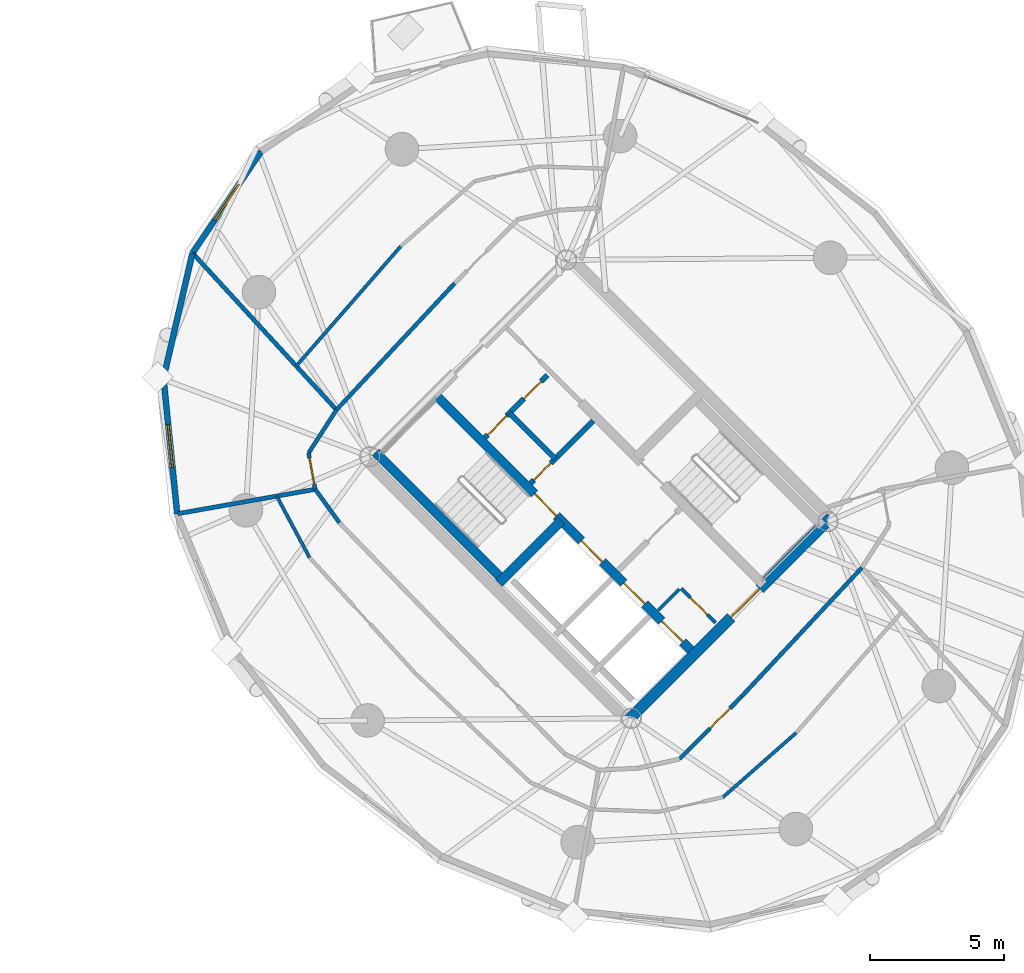
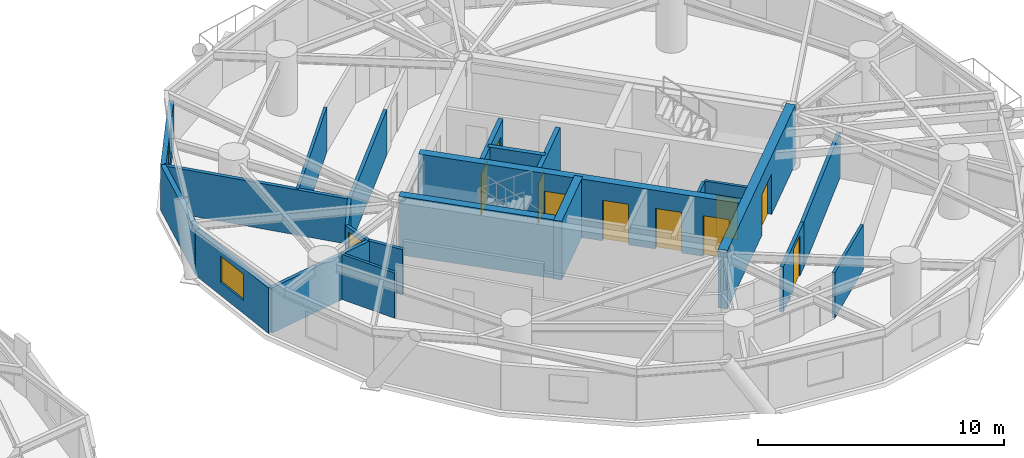
# One storey, part 14 of 19: 23 walls, 11 doors, 2 windows, 13 openings.
"""IFC4 building model written with IfcOpenShell, lengths in metres."""

from ifc_helpers import new_model, si_unit, direction, frame, frame_2d, origin, place, context, subcontext, project, spatial, rectangle, extrude, source, transform, mapped, material, layer, layer_set, type_object, element, fill, save


model = new_model("IFC4")

# Units and contexts
model_context = context("Model", 3, precision=1e-05, world=origin(), true_north=direction((0.0, 1.0)))
body_context = subcontext(model_context, "Body", "Model", "MODEL_VIEW")
ifc_project = project(units=[si_unit("LENGTHUNIT", "METRE"), si_unit("AREAUNIT", "SQUARE_METRE"), si_unit("VOLUMEUNIT", "CUBIC_METRE"), si_unit("PLANEANGLEUNIT", "RADIAN"), si_unit("MASSUNIT", "GRAM", prefix="KILO")], contexts=[model_context])

# Site, building, storey
site_placement = place(None, origin())
site = spatial("IfcSite", under=ifc_project, at=site_placement, CompositionType="ELEMENT")
building_placement = place(site_placement, origin())
building = spatial("IfcBuilding", under=site, at=building_placement, Name="Cununo Teusaquillo Station Towers", CompositionType="ELEMENT")
storey_placement = place(building_placement, frame((0.0, 0.0, 160.330078125)))
storey = spatial("IfcBuildingStorey", under=building, at=storey_placement, Name="L50", CompositionType="ELEMENT", Elevation=160.330078125)

# Wall, openings, doors
ifc_material_1 = material(Name="Concrete C50/60", Category="concrete")
ifc_layer_1 = layer(ifc_material_1, 0.35009765625)
ifc_layer_set_1 = layer_set([ifc_layer_1], Name="Concrete C50/60")
wall_type_1 = type_object("IfcWallType", Name="WL-CORE-350", PredefinedType="SHEAR", material=ifc_layer_set_1)
wall_1_placement = place(storey_placement, frame((61.060302734375, 18.372802734375, 0.0), z_axis=(0.0, 0.0, 1.0), x_axis=(-0.707106781187, 0.707106781187, 0.0)))
wall_1 = element("IfcWall", 1, at=wall_1_placement, inside=storey, type_object=wall_type_1, Name="L50 Tower B Core Shear Wall IW", PredefinedType="SHEAR", context=body_context, shape_type="SweptSolid", body=[
    extrude(rectangle(XDim=13.7001953125, YDim=0.35009765625, at=frame_2d((6.85009765625, 0.0))), origin(), (0.0, 0.0, 1.0), 2.909912109375),
])
shared_shape_1 = source(origin(), body_context, "Body", "SweptSolid", [
    extrude(rectangle(XDim=1.10009765625, YDim=2.014892578125, at=frame_2d((0.550048828125, 1.00732421875))), frame((0.0, 0.18505859375, 0.0), z_axis=(0.0, -1.0, 0.0), x_axis=(1.0, 0.0, 0.0)), (0.0, 0.0, 1.0), 0.3701171875),
])
opening_1_placement = place(wall_1_placement, frame((4.85009765625, 0.0, 0.0)))
opening_1 = element("IfcOpeningElement", 2, at=opening_1_placement, cuts=wall_1, Name="Opening LD-01", PredefinedType="OPENING", context=body_context, shape_type="MappedRepresentation", body=[
    mapped(shared_shape_1, transform((0.0, 0.0, 0.0), x_axis=(1.0, 0.0, 0.0), y_axis=(0.0, 1.0, 0.0), z_axis=(0.0, 0.0, 1.0), scale=1.0)),
])
opening_2_placement = place(wall_1_placement, frame((0.625, 0.0, 0.0)))
opening_2 = element("IfcOpeningElement", 3, at=opening_2_placement, cuts=wall_1, Name="Opening LD-01", PredefinedType="OPENING", context=body_context, shape_type="MappedRepresentation", body=[
    mapped(shared_shape_1, transform((0.0, 0.0, 0.0), x_axis=(1.0, 0.0, 0.0), y_axis=(0.0, 1.0, 0.0), z_axis=(0.0, 0.0, 1.0), scale=1.0)),
])
opening_3_placement = place(wall_1_placement, frame((2.625, 0.0, 0.0)))
opening_3 = element("IfcOpeningElement", 4, at=opening_3_placement, cuts=wall_1, Name="Opening LD-01", PredefinedType="OPENING", context=body_context, shape_type="MappedRepresentation", body=[
    mapped(shared_shape_1, transform((0.0, 0.0, 0.0), x_axis=(1.0, 0.0, 0.0), y_axis=(0.0, 1.0, 0.0), z_axis=(0.0, 0.0, 1.0), scale=1.0)),
])
shared_shape_2 = source(origin(), body_context, "Body", "SweptSolid", [
    extrude(rectangle(XDim=1.14990234375, YDim=2.02001953125, at=frame_2d((0.574951171875, 1.010009765625))), frame((0.0, 0.18505859375, 0.0), z_axis=(0.0, -1.0, 0.0), x_axis=(1.0, 0.0, 0.0)), (0.0, 0.0, 1.0), 0.3701171875),
])
opening_4_placement = place(wall_1_placement, frame((7.27001953125, 0.0, 0.0)))
opening_4 = element("IfcOpeningElement", 5, at=opening_4_placement, cuts=wall_1, Name="Opening D-ST1", PredefinedType="OPENING", context=body_context, shape_type="MappedRepresentation", body=[
    mapped(shared_shape_2, transform((0.0, 0.0, 0.0), x_axis=(1.0, 0.0, 0.0), y_axis=(0.0, 1.0, 0.0), z_axis=(0.0, 0.0, 1.0), scale=1.0)),
])
ifc_material_2 = material(Name="Galvanised fire-rated hollow steel door assembly", Category="steel")
door_type_1 = type_object("IfcDoorType", Name="DR-LIFT-1100", OperationType="SLIDING_TO_LEFT", PredefinedType="DOOR", material=ifc_material_2)
shared_shape_3 = source(origin(), body_context, "Body", "SweptSolid", [
    extrude(rectangle(XDim=1.10009765625, YDim=2.014892578125, at=frame_2d((0.550048828125, 1.00732421875))), frame((0.0, 0.02490234375, 0.0), z_axis=(0.0, -1.0, 0.0), x_axis=(1.0, 0.0, 0.0)), (0.0, 0.0, 1.0), 0.050048828125),
])
door_1_placement = place(opening_1_placement, origin())
door_1 = element("IfcDoor", 6, at=door_1_placement, inside=storey, type_object=door_type_1, Name="L50 Lift FL-T2 Sliding Landing Door", OperationType="SLIDING_TO_RIGHT", OverallHeight=2.014892578125, OverallWidth=1.10009765625, PredefinedType="DOOR", context=body_context, shape_type="MappedRepresentation", body=[
    mapped(shared_shape_3, transform((0.0, 0.0, 0.0), x_axis=(1.0, 0.0, 0.0), y_axis=(0.0, 1.0, 0.0), z_axis=(0.0, 0.0, 1.0), scale=1.0)),
])
fill(opening_1, door_1)
door_2_placement = place(opening_2_placement, origin())
door_2 = element("IfcDoor", 7, at=door_2_placement, inside=storey, type_object=door_type_1, Name="L50 Lift PL-T2-H1 Sliding Landing Door", OperationType="SLIDING_TO_LEFT", OverallHeight=2.014892578125, OverallWidth=1.10009765625, PredefinedType="DOOR", context=body_context, shape_type="MappedRepresentation", body=[
    mapped(shared_shape_3, transform((0.0, 0.0, 0.0), x_axis=(1.0, 0.0, 0.0), y_axis=(0.0, 1.0, 0.0), z_axis=(0.0, 0.0, 1.0), scale=1.0)),
])
fill(opening_2, door_2)
door_3_placement = place(opening_3_placement, origin())
door_3 = element("IfcDoor", 8, at=door_3_placement, inside=storey, type_object=door_type_1, Name="L50 Lift PL-T2-H2 Sliding Landing Door", OperationType="SLIDING_TO_RIGHT", OverallHeight=2.014892578125, OverallWidth=1.10009765625, PredefinedType="DOOR", context=body_context, shape_type="MappedRepresentation", body=[
    mapped(shared_shape_3, transform((0.0, 0.0, 0.0), x_axis=(1.0, 0.0, 0.0), y_axis=(0.0, 1.0, 0.0), z_axis=(0.0, 0.0, 1.0), scale=1.0)),
])
fill(opening_3, door_3)
ifc_material_3 = material(Name="Galvanised fire-rated hollow steel door assembly", Category="steel")
door_type_2 = type_object("IfcDoorType", Name="DR-STAIR-1150", OperationType="NOTDEFINED", PredefinedType="DOOR", material=ifc_material_3)
shared_shape_4 = source(origin(), body_context, "Body", "SweptSolid", [
    extrude(rectangle(XDim=1.14990234375, YDim=2.02001953125, at=frame_2d((0.574951171875, 1.010009765625))), frame((0.0, 0.02490234375, 0.0), z_axis=(0.0, -1.0, 0.0), x_axis=(1.0, 0.0, 0.0)), (0.0, 0.0, 1.0), 0.050048828125),
])
door_4_placement = place(opening_4_placement, origin())
door_4 = element("IfcDoor", 9, at=door_4_placement, inside=storey, type_object=door_type_2, Name="L50 Tower B Exit Stair 1 Fire Door", OperationType="SINGLE_SWING_LEFT", OverallHeight=2.02001953125, OverallWidth=1.14990234375, PredefinedType="DOOR", context=body_context, shape_type="MappedRepresentation", body=[
    mapped(shared_shape_4, transform((0.0, 0.0, 0.0), x_axis=(1.0, 0.0, 0.0), y_axis=(0.0, 1.0, 0.0), z_axis=(0.0, 0.0, 1.0), scale=1.0)),
])
fill(opening_4, door_4)

# Walls
wall_2_placement = place(storey_placement, frame((53.922119140625, 21.14111328125, 0.0), z_axis=(0.0, 0.0, 1.0), x_axis=(-0.707106781187, 0.707106781187, 0.0)))
element("IfcWall", 10, at=wall_2_placement, inside=storey, type_object=wall_type_1, Name="L50 Tower B Core Shear Wall ST1W", PredefinedType="SHEAR", context=body_context, shape_type="SweptSolid", body=[
    extrude(rectangle(XDim=6.695068359375, YDim=0.35009765625, at=frame_2d((3.34765625, 0.0))), origin(), (0.0, 0.0, 1.0), 2.909912109375),
])
wall_3_placement = place(storey_placement, frame((53.7841796875, 21.00341796875, 0.0), z_axis=(0.0, 0.0, 1.0), x_axis=(0.707106781187, 0.707106781187, 0.0)))
element("IfcWall", 11, at=wall_3_placement, inside=storey, type_object=wall_type_1, Name="L50 Tower B Core Shear Wall ST1S", PredefinedType="SHEAR", context=body_context, shape_type="SweptSolid", body=[
    extrude(rectangle(XDim=3.284912109375, YDim=0.35009765625, at=frame_2d((1.642578125, 0.0))), origin(), (0.0, 0.0, 1.0), 2.909912109375),
])

# Wall, opening, door
ifc_material_4 = material(Name="Concrete C50/60", Category="concrete")
ifc_layer_2 = layer(ifc_material_4, 0.39990234375)
ifc_layer_set_2 = layer_set([ifc_layer_2], Name="Concrete C50/60")
wall_type_2 = type_object("IfcWallType", Name="WL-CORE-400", PredefinedType="SHEAR", material=ifc_layer_set_2)
wall_4_placement = place(storey_placement, frame((58.560791015625, 15.873291015625, 0.0), z_axis=(0.0, 0.0, 1.0), x_axis=(0.707106781187, 0.707106781187, 0.0)))
wall_4 = element("IfcWall", 12, at=wall_4_placement, inside=storey, type_object=wall_type_2, Name="L50 Tower B Core Shear Wall S", PredefinedType="SHEAR", context=body_context, shape_type="SweptSolid", body=[
    extrude(rectangle(XDim=10.69970703125, YDim=0.39990234375, at=frame_2d((5.349853515625, 0.0))), origin(), (0.0, 0.0, 1.0), 2.909912109375),
])
shared_shape_5 = source(origin(), body_context, "Body", "SweptSolid", [
    extrude(rectangle(XDim=1.5, YDim=2.02001953125, at=frame_2d((0.75, 1.010009765625))), frame((0.0, 0.2099609375, 0.0), z_axis=(0.0, -1.0, 0.0), x_axis=(1.0, 0.0, 0.0)), (0.0, 0.0, 1.0), 0.419921875),
])
opening_5_placement = place(wall_4_placement, frame((5.449951171875, 0.0, 0.0)))
opening_5 = element("IfcOpeningElement", 13, at=opening_5_placement, cuts=wall_4, Name="Opening D-LB1", PredefinedType="OPENING", context=body_context, shape_type="MappedRepresentation", body=[
    mapped(shared_shape_5, transform((0.0, 0.0, 0.0), x_axis=(1.0, 0.0, 0.0), y_axis=(0.0, 1.0, 0.0), z_axis=(0.0, 0.0, 1.0), scale=1.0)),
])
ifc_material_5 = material(Name="Galvanised fire-rated hollow steel door assembly", Category="steel")
door_type_3 = type_object("IfcDoorType", Name="DR-LOBBY-1500", OperationType="DOUBLE_DOOR_SINGLE_SWING", PredefinedType="DOOR", material=ifc_material_5)
shared_shape_6 = source(origin(), body_context, "Body", "SweptSolid", [
    extrude(rectangle(XDim=1.5, YDim=2.02001953125, at=frame_2d((0.75, 1.010009765625))), frame((0.0, 0.02490234375, 0.0), z_axis=(0.0, -1.0, 0.0), x_axis=(1.0, 0.0, 0.0)), (0.0, 0.0, 1.0), 0.050048828125),
])
door_5_placement = place(opening_5_placement, origin())
door_5 = element("IfcDoor", 14, at=door_5_placement, inside=storey, type_object=door_type_3, Name="L50 Tower B South Core Lift Lobby Door", OperationType="DOUBLE_DOOR_SINGLE_SWING", OverallHeight=2.02001953125, OverallWidth=1.5, PredefinedType="DOOR", context=body_context, shape_type="MappedRepresentation", body=[
    mapped(shared_shape_6, transform((0.0, 0.0, 0.0), x_axis=(1.0, 0.0, 0.0), y_axis=(0.0, 1.0, 0.0), z_axis=(0.0, 0.0, 1.0), scale=1.0)),
])
fill(opening_5, door_5)

# Wall, opening, window
ifc_material_6 = material(Name="Precast concrete C40/50", Category="concrete")
ifc_layer_3 = layer(ifc_material_6, 0.219970703125)
ifc_layer_set_3 = layer_set([ifc_layer_3], Name="Precast concrete C40/50")
wall_type_3 = type_object("IfcWallType", Name="WL-EXT-220", PredefinedType="SOLIDWALL", material=ifc_layer_set_3)
wall_5_placement = place(storey_placement, frame((42.3779296875, 33.27880859375, 0.0), z_axis=(0.0, 0.0, 1.0), x_axis=(0.559635286042, 0.828739009952, 0.0)))
wall_5 = element("IfcWall", 15, at=wall_5_placement, inside=storey, type_object=wall_type_3, Name="L50 Tower B Exterior Facade Wall C05", PredefinedType="SOLIDWALL", context=body_context, shape_type="SweptSolid", body=[
    extrude(rectangle(XDim=4.56884765625, YDim=0.219970703125, at=frame_2d((2.284423828125, 0.0))), origin(), (0.0, 0.0, 1.0), 2.244873046875),
])
shared_shape_7 = source(origin(), body_context, "Body", "SweptSolid", [
    extrude(rectangle(XDim=1.60009765625, YDim=1.300048828125, at=frame_2d((0.800048828125, 0.64990234375))), frame((0.0, 0.119873046875, 0.0), z_axis=(0.0, -1.0, 0.0), x_axis=(1.0, 0.0, 0.0)), (0.0, 0.0, 1.0), 0.239990234375),
])
opening_6_placement = place(wall_5_placement, frame((1.48388671875, 0.0, 0.64990234375)))
opening_6 = element("IfcOpeningElement", 16, at=opening_6_placement, cuts=wall_5, Name="Opening WN-03", PredefinedType="OPENING", context=body_context, shape_type="MappedRepresentation", body=[
    mapped(shared_shape_7, transform((0.0, 0.0, 0.0), x_axis=(1.0, 0.0, 0.0), y_axis=(0.0, 1.0, 0.0), z_axis=(0.0, 0.0, 1.0), scale=1.0)),
])
ifc_material_7 = material(Name="Ceramic-fritted dark low-E double glazing", Category="glass")
window_type = type_object("IfcWindowType", Name="WIN-CORN-1600", PartitioningType="SINGLE_PANEL", PredefinedType="WINDOW", material=ifc_material_7)
shared_shape_8 = source(origin(), body_context, "Body", "SweptSolid", [
    extrude(rectangle(XDim=1.60009765625, YDim=1.300048828125, at=frame_2d((0.800048828125, 0.64990234375))), frame((0.0, 0.030029296875, 0.0), z_axis=(0.0, -1.0, 0.0), x_axis=(1.0, 0.0, 0.0)), (0.0, 0.0, 1.0), 0.06005859375),
])
window_1_placement = place(opening_6_placement, origin())
window_1 = element("IfcWindow", 17, at=window_1_placement, inside=storey, type_object=window_type, Name="L50 Tower B Facade Window C05", OverallHeight=1.300048828125, OverallWidth=1.60009765625, PartitioningType="SINGLE_PANEL", PredefinedType="WINDOW", context=body_context, shape_type="MappedRepresentation", body=[
    mapped(shared_shape_8, transform((0.0, 0.0, 0.0), x_axis=(1.0, 0.0, 0.0), y_axis=(0.0, 1.0, 0.0), z_axis=(0.0, 0.0, 1.0), scale=1.0)),
])
fill(opening_6, window_1)

# Wall
wall_6_placement = place(storey_placement, frame((41.3017578125, 28.6328125, 0.0), z_axis=(0.0, 0.0, 1.0), x_axis=(0.225659540039, 0.974206226622, 0.0)))
element("IfcWall", 18, at=wall_6_placement, inside=storey, type_object=wall_type_3, Name="L50 Tower B Exterior Facade Wall C06", PredefinedType="SOLIDWALL", context=body_context, shape_type="SweptSolid", body=[
    extrude(rectangle(XDim=4.76904296875, YDim=0.219970703125, at=frame_2d((2.384521484375, 0.0))), origin(), (0.0, 0.0, 1.0), 2.244873046875),
])

# Wall, opening, window
wall_7_placement = place(storey_placement, frame((41.810791015625, 23.582275390625, 0.0), z_axis=(0.0, 0.0, 1.0), x_axis=(-0.100279889424, 0.994959267396, 0.0)))
wall_7 = element("IfcWall", 19, at=wall_7_placement, inside=storey, type_object=wall_type_3, Name="L50 Tower B Exterior Facade Wall C07", PredefinedType="SOLIDWALL", context=body_context, shape_type="SweptSolid", body=[
    extrude(rectangle(XDim=5.076171875, YDim=0.219970703125, at=frame_2d((2.5380859375, 0.0))), origin(), (0.0, 0.0, 1.0), 2.244873046875),
])
opening_7_placement = place(wall_7_placement, frame((1.738037109375, 0.0, 0.64990234375)))
opening_7 = element("IfcOpeningElement", 20, at=opening_7_placement, cuts=wall_7, Name="Opening WN-03", PredefinedType="OPENING", context=body_context, shape_type="MappedRepresentation", body=[
    mapped(shared_shape_7, transform((0.0, 0.0, 0.0), x_axis=(1.0, 0.0, 0.0), y_axis=(0.0, 1.0, 0.0), z_axis=(0.0, 0.0, 1.0), scale=1.0)),
])
window_2_placement = place(opening_7_placement, origin())
window_2 = element("IfcWindow", 21, at=window_2_placement, inside=storey, type_object=window_type, Name="L50 Tower B Facade Window C07", OverallHeight=1.300048828125, OverallWidth=1.60009765625, PartitioningType="SINGLE_PANEL", PredefinedType="WINDOW", context=body_context, shape_type="MappedRepresentation", body=[
    mapped(shared_shape_8, transform((0.0, 0.0, 0.0), x_axis=(1.0, 0.0, 0.0), y_axis=(0.0, 1.0, 0.0), z_axis=(0.0, 0.0, 1.0), scale=1.0)),
])
fill(opening_7, window_2)

# Wall, opening, door
ifc_material_8 = material(Name="Fire-rated gypsum plasterboard partition assembly", Category="gypsum")
ifc_layer_4 = layer(ifc_material_8, 0.125)
ifc_layer_set_4 = layer_set([ifc_layer_4], Name="Fire-rated gypsum plasterboard partition assembly")
wall_type_4 = type_object("IfcWallType", Name="WL-PART-125", PredefinedType="PARTITIONING", material=ifc_layer_set_4)
wall_8_placement = place(storey_placement, frame((61.834716796875, 19.529052734375, 0.0), z_axis=(0.0, 0.0, 1.0), x_axis=(-0.707174592913, 0.707038962956, 0.0)))
wall_8 = element("IfcWall", 22, at=wall_8_placement, inside=storey, type_object=wall_type_4, Name="L50 Tower B South-West Compact Store East Wall", PredefinedType="PARTITIONING", context=body_context, shape_type="SweptSolid", body=[
    extrude(rectangle(XDim=1.800048828125, YDim=0.125, at=frame_2d((0.89990234375, 0.0))), origin(), (0.0, 0.0, 1.0), 2.6748046875),
])
shared_shape_9 = source(origin(), body_context, "Body", "SweptSolid", [
    extrude(rectangle(XDim=0.89990234375, YDim=2.0048828125, at=frame_2d((0.449951171875, 1.00244140625))), frame((0.0, 0.072509765625, 0.0), z_axis=(0.0, -1.0, 0.0), x_axis=(1.0, 0.0, 0.0)), (0.0, 0.0, 1.0), 0.14501953125),
])
opening_8_placement = place(wall_8_placement, frame((0.419921875, 0.0, 0.0)))
opening_8 = element("IfcOpeningElement", 23, at=opening_8_placement, cuts=wall_8, Name="Opening D-SR1", PredefinedType="OPENING", context=body_context, shape_type="MappedRepresentation", body=[
    mapped(shared_shape_9, transform((0.0, 0.0, 0.0), x_axis=(1.0, 0.0, 0.0), y_axis=(0.0, 1.0, 0.0), z_axis=(0.0, 0.0, 1.0), scale=1.0)),
])
ifc_material_9 = material(Name="Galvanised fire-rated hollow steel door assembly", Category="steel")
door_type_4 = type_object("IfcDoorType", Name="DR-STORE-900", OperationType="NOTDEFINED", PredefinedType="DOOR", material=ifc_material_9)
shared_shape_10 = source(origin(), body_context, "Body", "SweptSolid", [
    extrude(rectangle(XDim=0.89990234375, YDim=2.0048828125, at=frame_2d((0.449951171875, 1.00244140625))), frame((0.0, 0.02490234375, 0.0), z_axis=(0.0, -1.0, 0.0), x_axis=(1.0, 0.0, 0.0)), (0.0, 0.0, 1.0), 0.050048828125),
])
door_6_placement = place(opening_8_placement, origin())
door_6 = element("IfcDoor", 24, at=door_6_placement, inside=storey, type_object=door_type_4, Name="L50 Tower B Core Electrical & Comms Store Door", OperationType="SINGLE_SWING_LEFT", OverallHeight=2.0048828125, OverallWidth=0.89990234375, PredefinedType="DOOR", context=body_context, shape_type="MappedRepresentation", body=[
    mapped(shared_shape_10, transform((0.0, 0.0, 0.0), x_axis=(1.0, 0.0, 0.0), y_axis=(0.0, 1.0, 0.0), z_axis=(0.0, 0.0, 1.0), scale=1.0)),
])
fill(opening_8, door_6)

# Walls
wall_9_placement = place(storey_placement, frame((59.713134765625, 19.99560546875, 0.0), z_axis=(0.0, 0.0, 1.0), x_axis=(0.707217726, 0.706995818963, 0.0)))
element("IfcWall", 25, at=wall_9_placement, inside=storey, type_object=wall_type_4, Name="L50 Tower B South-West Compact Store North Wall", PredefinedType="PARTITIONING", context=body_context, shape_type="SweptSolid", body=[
    extrude(rectangle(XDim=1.10009765625, YDim=0.125, at=frame_2d((0.550048828125, 0.0))), origin(), (0.0, 0.0, 1.0), 2.6748046875),
])
wall_10_placement = place(storey_placement, frame((50.123046875, 33.529052734375, 0.0), z_axis=(0.0, 0.0, 1.0), x_axis=(-0.657371249324, -0.753566878626, 0.0)))
element("IfcWall", 26, at=wall_10_placement, inside=storey, type_object=wall_type_4, Name="L50 Tower B High-Zone Club Reading & Dining Hall Concentric Partition Wall C05", PredefinedType="PARTITIONING", context=body_context, shape_type="SweptSolid", body=[
    extrude(rectangle(XDim=5.90576171875, YDim=0.125, at=frame_2d((2.952880859375, 0.0))), origin(), (0.0, 0.0, 1.0), 2.244873046875),
])
wall_11_placement = place(storey_placement, frame((45.513916015625, 24.2392578125, 0.0), z_axis=(0.0, 0.0, 1.0), x_axis=(0.471225296528, -0.882012879674, 0.0)))
element("IfcWall", 27, at=wall_11_placement, inside=storey, type_object=wall_type_4, Name="L50 Tower B Sabana Wellness & Spa Lounge Concentric Partition Wall C08", PredefinedType="PARTITIONING", context=body_context, shape_type="SweptSolid", body=[
    extrude(rectangle(XDim=2.585205078125, YDim=0.125, at=frame_2d((1.29248046875, 0.0))), origin(), (0.0, 0.0, 1.0), 2.244873046875),
])
wall_12_placement = place(storey_placement, frame((62.11669921875, 13.0400390625, 0.0), z_axis=(0.0, 0.0, 1.0), x_axis=(0.751084924077, 0.660205601933, 0.0)))
element("IfcWall", 28, at=wall_12_placement, inside=storey, type_object=wall_type_4, Name="L50 Tower B Cordillera Executive Conference Salon Concentric Partition Wall C14", PredefinedType="PARTITIONING", context=body_context, shape_type="SweptSolid", body=[
    extrude(rectangle(XDim=3.6240234375, YDim=0.125, at=frame_2d((1.81201171875, 0.0))), origin(), (0.0, 0.0, 1.0), 2.244873046875),
])
ifc_material_10 = material(Name="Fire-rated gypsum plasterboard partition assembly", Category="gypsum")
ifc_layer_5 = layer(ifc_material_10, 0.14990234375)
ifc_layer_set_5 = layer_set([ifc_layer_5], Name="Fire-rated gypsum plasterboard partition assembly")
wall_type_5 = type_object("IfcWallType", Name="WL-PART-150", PredefinedType="PARTITIONING", material=ifc_layer_set_5)
wall_13_placement = place(storey_placement, frame((52.13525390625, 32.159423828125, 0.0), z_axis=(0.0, 0.0, 1.0), x_axis=(-0.682546302454, -0.730842353047, 0.0)))
element("IfcWall", 29, at=wall_13_placement, inside=storey, type_object=wall_type_5, Name="L50 Tower B Corridor Ring Wall C05", PredefinedType="PARTITIONING", context=body_context, shape_type="SweptSolid", body=[
    extrude(rectangle(XDim=6.4453125, YDim=0.14990234375, at=frame_2d((3.22265625, 0.0))), origin(), (0.0, 0.0, 1.0), 2.244873046875),
])
wall_14_placement = place(storey_placement, frame((47.736083984375, 27.448974609375, 0.0), z_axis=(0.0, 0.0, 1.0), x_axis=(-0.542589259408, -0.839998152126, 0.0)))
element("IfcWall", 30, at=wall_14_placement, inside=storey, type_object=wall_type_5, Name="L50 Tower B Corridor Ring Wall C06", PredefinedType="PARTITIONING", context=body_context, shape_type="SweptSolid", body=[
    extrude(rectangle(XDim=1.911865234375, YDim=0.14990234375, at=frame_2d((0.9560546875, 0.0))), origin(), (0.0, 0.0, 1.0), 2.244873046875),
])

# Wall, opening, door
wall_15_placement = place(storey_placement, frame((46.69873046875, 25.843017578125, 0.0), z_axis=(0.0, 0.0, 1.0), x_axis=(0.180451258011, -0.983583928032, 0.0)))
wall_15 = element("IfcWall", 31, at=wall_15_placement, inside=storey, type_object=wall_type_5, Name="L50 Tower B Corridor Ring Wall C07", PredefinedType="PARTITIONING", context=body_context, shape_type="SweptSolid", body=[
    extrude(rectangle(XDim=1.371826171875, YDim=0.14990234375, at=frame_2d((0.68603515625, 0.0))), origin(), (0.0, 0.0, 1.0), 2.244873046875),
])
shared_shape_11 = source(origin(), body_context, "Body", "SweptSolid", [
    extrude(rectangle(XDim=1.0, YDim=2.014892578125, at=frame_2d((0.5, 1.00732421875))), frame((0.0, 0.0849609375, 0.0), z_axis=(0.0, -1.0, 0.0), x_axis=(1.0, 0.0, 0.0)), (0.0, 0.0, 1.0), 0.169921875),
])
opening_9_placement = place(wall_15_placement, frame((0.18603515625, 0.0, 0.0)))
opening_9 = element("IfcOpeningElement", 32, at=opening_9_placement, cuts=wall_15, Name="Opening D-AC1", PredefinedType="OPENING", context=body_context, shape_type="MappedRepresentation", body=[
    mapped(shared_shape_11, transform((0.0, 0.0, 0.0), x_axis=(1.0, 0.0, 0.0), y_axis=(0.0, 1.0, 0.0), z_axis=(0.0, 0.0, 1.0), scale=1.0)),
])
ifc_material_11 = material(Name="Acoustic solid-core hardwood leaf assembly", Category="wood")
door_type_5 = type_object("IfcDoorType", Name="DR-ACC-1000", OperationType="NOTDEFINED", PredefinedType="DOOR", material=ifc_material_11)
shared_shape_12 = source(origin(), body_context, "Body", "SweptSolid", [
    extrude(rectangle(XDim=1.0, YDim=2.014892578125, at=frame_2d((0.5, 1.00732421875))), frame((0.0, 0.02490234375, 0.0), z_axis=(0.0, -1.0, 0.0), x_axis=(1.0, 0.0, 0.0)), (0.0, 0.0, 1.0), 0.050048828125),
])
door_7_placement = place(opening_9_placement, origin())
door_7 = element("IfcDoor", 33, at=door_7_placement, inside=storey, type_object=door_type_5, Name="L50 Tower B Public Accessible Restroom WC Entrance Door", OperationType="SINGLE_SWING_RIGHT", OverallHeight=2.014892578125, OverallWidth=1.0, PredefinedType="DOOR", context=body_context, shape_type="MappedRepresentation", body=[
    mapped(shared_shape_12, transform((0.0, 0.0, 0.0), x_axis=(1.0, 0.0, 0.0), y_axis=(0.0, 1.0, 0.0), z_axis=(0.0, 0.0, 1.0), scale=1.0)),
])
fill(opening_9, door_7)

# Wall
wall_16_placement = place(storey_placement, frame((46.9462890625, 24.49365234375, 0.0), z_axis=(0.0, 0.0, 1.0), x_axis=(0.586340262528, -0.810064871809, 0.0)))
element("IfcWall", 34, at=wall_16_placement, inside=storey, type_object=wall_type_5, Name="L50 Tower B Corridor Ring Wall C08", PredefinedType="PARTITIONING", context=body_context, shape_type="SweptSolid", body=[
    extrude(rectangle(XDim=1.531005859375, YDim=0.14990234375, at=frame_2d((0.765625, 0.0))), origin(), (0.0, 0.0, 1.0), 2.244873046875),
])

# Wall, opening, door
wall_17_placement = place(storey_placement, frame((60.50146484375, 14.457275390625, 0.0), z_axis=(0.0, 0.0, 1.0), x_axis=(0.704012266258, 0.710187812454, 0.0)))
wall_17 = element("IfcWall", 35, at=wall_17_placement, inside=storey, type_object=wall_type_5, Name="L50 Tower B Corridor Ring Wall C14", PredefinedType="PARTITIONING", context=body_context, shape_type="SweptSolid", body=[
    extrude(rectangle(XDim=3.28125, YDim=0.14990234375, at=frame_2d((1.640625, 0.0))), origin(), (0.0, 0.0, 1.0), 2.244873046875),
])
shared_shape_13 = source(origin(), body_context, "Body", "SweptSolid", [
    extrude(rectangle(XDim=1.050048828125, YDim=2.014892578125, at=frame_2d((0.52490234375, 1.00732421875))), frame((0.0, 0.0849609375, 0.0), z_axis=(0.0, -1.0, 0.0), x_axis=(1.0, 0.0, 0.0)), (0.0, 0.0, 1.0), 0.169921875),
])
opening_10_placement = place(wall_17_placement, frame((1.613525390625, 0.0, 0.0)))
opening_10 = element("IfcOpeningElement", 36, at=opening_10_placement, cuts=wall_17, Name="Opening D-SU1", PredefinedType="OPENING", context=body_context, shape_type="MappedRepresentation", body=[
    mapped(shared_shape_13, transform((0.0, 0.0, 0.0), x_axis=(1.0, 0.0, 0.0), y_axis=(0.0, 1.0, 0.0), z_axis=(0.0, 0.0, 1.0), scale=1.0)),
])
ifc_material_12 = material(Name="Acoustic solid-core hardwood leaf assembly", Category="wood")
door_type_6 = type_object("IfcDoorType", Name="DR-SUITE-1050", OperationType="NOTDEFINED", PredefinedType="DOOR", material=ifc_material_12)
shared_shape_14 = source(origin(), body_context, "Body", "SweptSolid", [
    extrude(rectangle(XDim=1.050048828125, YDim=2.014892578125, at=frame_2d((0.52490234375, 1.00732421875))), frame((0.0, 0.02490234375, 0.0), z_axis=(0.0, -1.0, 0.0), x_axis=(1.0, 0.0, 0.0)), (0.0, 0.0, 1.0), 0.050048828125),
])
door_8_placement = place(opening_10_placement, origin())
door_8 = element("IfcDoor", 37, at=door_8_placement, inside=storey, type_object=door_type_6, Name="L50 Tower B Cordillera Executive Conference Salon Entrance Door", OperationType="SINGLE_SWING_LEFT", OverallHeight=2.014892578125, OverallWidth=1.050048828125, PredefinedType="DOOR", context=body_context, shape_type="MappedRepresentation", body=[
    mapped(shared_shape_14, transform((0.0, 0.0, 0.0), x_axis=(1.0, 0.0, 0.0), y_axis=(0.0, 1.0, 0.0), z_axis=(0.0, 0.0, 1.0), scale=1.0)),
])
fill(opening_10, door_8)

# Walls
wall_18_placement = place(storey_placement, frame((62.8115234375, 16.78759765625, 0.0), z_axis=(0.0, 0.0, 1.0), x_axis=(0.682323555485, 0.731050316757, 0.0)))
element("IfcWall", 38, at=wall_18_placement, inside=storey, type_object=wall_type_5, Name="L50 Tower B Corridor Ring Wall C15", PredefinedType="PARTITIONING", context=body_context, shape_type="SweptSolid", body=[
    extrude(rectangle(XDim=6.55859375, YDim=0.14990234375, at=frame_2d((3.279296875, 0.0))), origin(), (0.0, 0.0, 1.0), 2.244873046875),
])
ifc_material_13 = material(Name="Fire-rated gypsum plasterboard partition assembly", Category="gypsum")
ifc_layer_6 = layer(ifc_material_13, 0.159912109375)
ifc_layer_set_6 = layer_set([ifc_layer_6], Name="Fire-rated gypsum plasterboard partition assembly")
wall_type_6 = type_object("IfcWallType", Name="WL-PART-160", PredefinedType="PARTITIONING", material=ifc_layer_set_6)
wall_19_placement = place(storey_placement, frame((47.736083984375, 27.448974609375, 0.0), z_axis=(0.0, 0.0, 1.0), x_axis=(-0.676056254668, 0.736850012231, 0.0)))
element("IfcWall", 39, at=wall_19_placement, inside=storey, type_object=wall_type_6, Name="L50 Tower B Radial Suite Partition R02", PredefinedType="PARTITIONING", context=body_context, shape_type="SweptSolid", body=[
    extrude(rectangle(XDim=7.899169921875, YDim=0.159912109375, at=frame_2d((3.94970703125, 0.0))), origin(), (0.0, 0.0, 1.0), 2.244873046875),
])
wall_20_placement = place(storey_placement, frame((46.9462890625, 24.49365234375, 0.0), z_axis=(0.0, 0.0, 1.0), x_axis=(-0.984604227647, -0.174798497988, 0.0)))
element("IfcWall", 40, at=wall_20_placement, inside=storey, type_object=wall_type_6, Name="L50 Tower B Radial Suite Partition R03", PredefinedType="PARTITIONING", context=body_context, shape_type="SweptSolid", body=[
    extrude(rectangle(XDim=5.19580078125, YDim=0.159912109375, at=frame_2d((2.597900390625, 0.0))), origin(), (0.0, 0.0, 1.0), 2.244873046875),
])

# Wall, opening, door
ifc_material_14 = material(Name="Fire-rated gypsum plasterboard partition assembly", Category="gypsum")
ifc_layer_7 = layer(ifc_material_14, 0.199951171875)
ifc_layer_set_7 = layer_set([ifc_layer_7], Name="Fire-rated gypsum plasterboard partition assembly")
wall_type_7 = type_object("IfcWallType", Name="WL-PART-200", PredefinedType="PARTITIONING", material=ifc_layer_set_7)
wall_21_placement = place(storey_placement, frame((54.96142578125, 24.71923828125, 0.0), z_axis=(0.0, 0.0, 1.0), x_axis=(0.707106781187, 0.707106781187, 0.0)))
wall_21 = element("IfcWall", 41, at=wall_21_placement, inside=storey, type_object=wall_type_7, Name="L50 Tower B Firefighting Lift Lobby North Fire Wall", PredefinedType="PARTITIONING", context=body_context, shape_type="SweptSolid", body=[
    extrude(rectangle(XDim=3.280029296875, YDim=0.199951171875, at=frame_2d((1.64013671875, 0.0))), origin(), (0.0, 0.0, 1.0), 2.6748046875),
])
shared_shape_15 = source(origin(), body_context, "Body", "SweptSolid", [
    extrude(rectangle(XDim=0.89990234375, YDim=2.0048828125, at=frame_2d((0.449951171875, 1.00244140625))), frame((0.0, 0.10986328125, 0.0), z_axis=(0.0, -1.0, 0.0), x_axis=(1.0, 0.0, 0.0)), (0.0, 0.0, 1.0), 0.219970703125),
])
opening_11_placement = place(wall_21_placement, frame((0.159912109375, 0.0, 0.0)))
opening_11 = element("IfcOpeningElement", 42, at=opening_11_placement, cuts=wall_21, Name="Opening D-SR1", PredefinedType="OPENING", context=body_context, shape_type="MappedRepresentation", body=[
    mapped(shared_shape_15, transform((0.0, 0.0, 0.0), x_axis=(1.0, 0.0, 0.0), y_axis=(0.0, 1.0, 0.0), z_axis=(0.0, 0.0, 1.0), scale=1.0)),
])
door_9_placement = place(opening_11_placement, origin())
door_9 = element("IfcDoor", 43, at=door_9_placement, inside=storey, type_object=door_type_4, Name="L50 Tower B Stair 1 Protected Vestibule South Door", OperationType="SINGLE_SWING_LEFT", OverallHeight=2.0048828125, OverallWidth=0.89990234375, PredefinedType="DOOR", context=body_context, shape_type="MappedRepresentation", body=[
    mapped(shared_shape_10, transform((0.0, 0.0, 0.0), x_axis=(1.0, 0.0, 0.0), y_axis=(0.0, 1.0, 0.0), z_axis=(0.0, 0.0, 1.0), scale=1.0)),
])
fill(opening_11, door_9)

# Wall
wall_22_placement = place(storey_placement, frame((55.873779296875, 25.63134765625, 0.0), z_axis=(0.0, 0.0, 1.0), x_axis=(-0.707157639372, 0.707055919343, 0.0)))
element("IfcWall", 44, at=wall_22_placement, inside=storey, type_object=wall_type_7, Name="L50 Tower B Stair 1 Vestibule Partition Wall", PredefinedType="PARTITIONING", context=body_context, shape_type="SweptSolid", body=[
    extrude(rectangle(XDim=2.400146484375, YDim=0.199951171875, at=frame_2d((1.2001953125, 0.0))), origin(), (0.0, 0.0, 1.0), 2.6748046875),
])

# Wall, openings, doors
wall_23_placement = place(storey_placement, frame((53.264404296875, 26.416259765625, 0.0), z_axis=(0.0, 0.0, 1.0), x_axis=(0.707106781187, 0.707106781187, 0.0)))
wall_23 = element("IfcWall", 45, at=wall_23_placement, inside=storey, type_object=wall_type_7, Name="L50 Tower B North Lift Lobby South Fire Wall", PredefinedType="PARTITIONING", context=body_context, shape_type="SweptSolid", body=[
    extrude(rectangle(XDim=3.280029296875, YDim=0.199951171875, at=frame_2d((1.64013671875, 0.0))), origin(), (0.0, 0.0, 1.0), 2.6748046875),
])
shared_shape_16 = source(origin(), body_context, "Body", "SweptSolid", [
    extrude(rectangle(XDim=1.0, YDim=2.014892578125, at=frame_2d((0.5, 1.00732421875))), frame((0.0, 0.10986328125, 0.0), z_axis=(0.0, -1.0, 0.0), x_axis=(1.0, 0.0, 0.0)), (0.0, 0.0, 1.0), 0.219970703125),
])
opening_12_placement = place(wall_23_placement, frame((0.139892578125, 0.0, 0.0)))
opening_12 = element("IfcOpeningElement", 46, at=opening_12_placement, cuts=wall_23, Name="Opening D-AC1", PredefinedType="OPENING", context=body_context, shape_type="MappedRepresentation", body=[
    mapped(shared_shape_16, transform((0.0, 0.0, 0.0), x_axis=(1.0, 0.0, 0.0), y_axis=(0.0, 1.0, 0.0), z_axis=(0.0, 0.0, 1.0), scale=1.0)),
])
opening_13_placement = place(wall_23_placement, frame((2.050048828125, 0.0, 0.0)))
opening_13 = element("IfcOpeningElement", 47, at=opening_13_placement, cuts=wall_23, Name="Opening D-SR1", PredefinedType="OPENING", context=body_context, shape_type="MappedRepresentation", body=[
    mapped(shared_shape_15, transform((0.0, 0.0, 0.0), x_axis=(1.0, 0.0, 0.0), y_axis=(0.0, 1.0, 0.0), z_axis=(0.0, 0.0, 1.0), scale=1.0)),
])
door_10_placement = place(opening_13_placement, origin())
door_10 = element("IfcDoor", 48, at=door_10_placement, inside=storey, type_object=door_type_4, Name="L50 Tower B Core Housekeeping & Linen Store Door", OperationType="SINGLE_SWING_RIGHT", OverallHeight=2.0048828125, OverallWidth=0.89990234375, PredefinedType="DOOR", context=body_context, shape_type="MappedRepresentation", body=[
    mapped(shared_shape_10, transform((0.0, 0.0, 0.0), x_axis=(1.0, 0.0, 0.0), y_axis=(0.0, 1.0, 0.0), z_axis=(0.0, 0.0, 1.0), scale=1.0)),
])
fill(opening_13, door_10)
door_11_placement = place(opening_12_placement, origin())
door_11 = element("IfcDoor", 49, at=door_11_placement, inside=storey, type_object=door_type_5, Name="L50 Tower B North Lift Lobby to Stair 1 Vestibule Door", OperationType="SINGLE_SWING_RIGHT", OverallHeight=2.014892578125, OverallWidth=1.0, PredefinedType="DOOR", context=body_context, shape_type="MappedRepresentation", body=[
    mapped(shared_shape_12, transform((0.0, 0.0, 0.0), x_axis=(1.0, 0.0, 0.0), y_axis=(0.0, 1.0, 0.0), z_axis=(0.0, 0.0, 1.0), scale=1.0)),
])
fill(opening_12, door_11)

save(model, "model.ifc")
